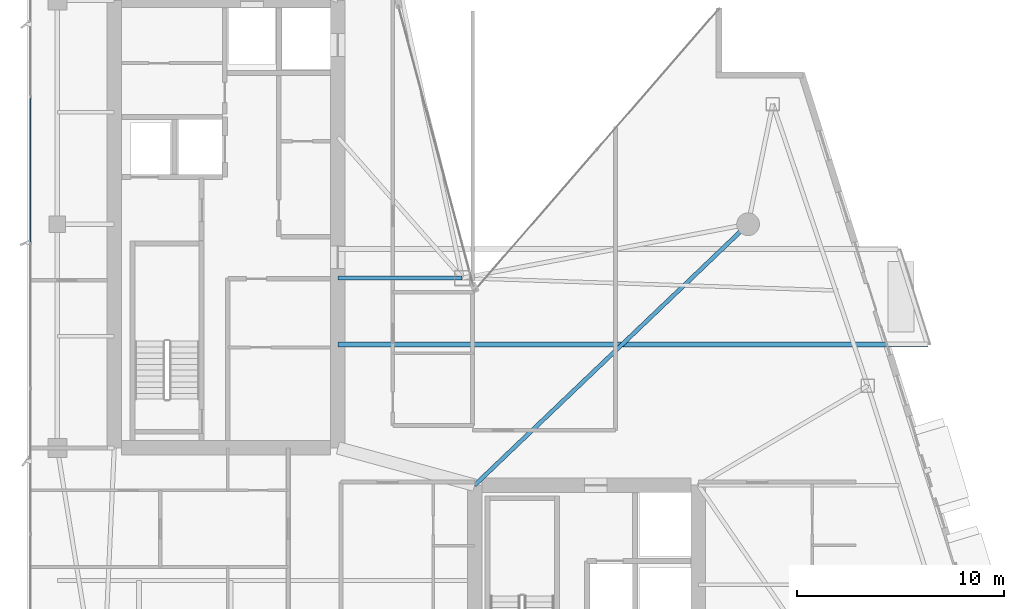
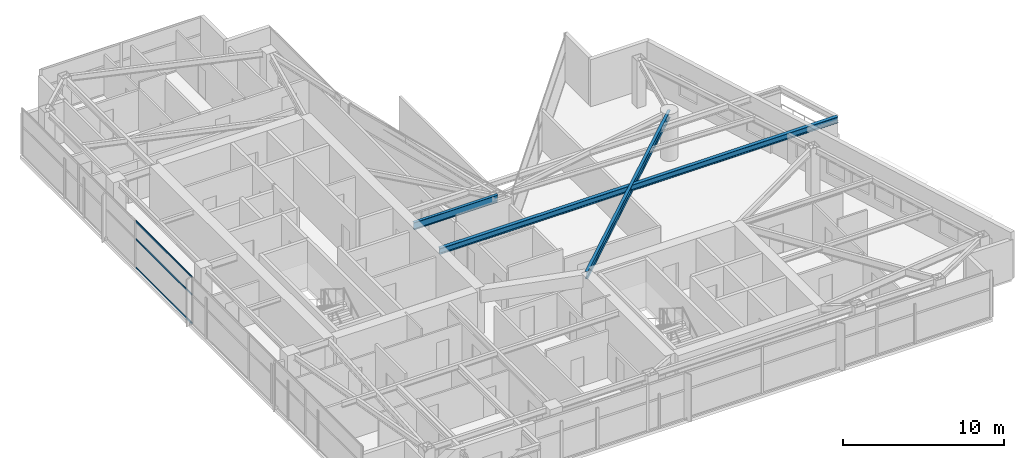
# One storey, part 10 of 29: 3 beams, 3 members, 1 element without a shape of its own.
"""IFC4 building model written with IfcOpenShell, lengths in metres."""

from ifc_helpers import new_model, si_unit, direction, frame, origin, origin_2d, place, context, subcontext, project, spatial, hollow_rectangle, i_section, extrude, material, layer, layer_set, material_profile, profile_set, type_object, element, aggregate, save


model = new_model("IFC4")

# Units and contexts
model_context = context("Model", 3, precision=1e-05, world=origin(), true_north=direction((0.0, 1.0)))
body_context = subcontext(model_context, "Body", "Model", "MODEL_VIEW")
ifc_project = project(units=[si_unit("LENGTHUNIT", "METRE"), si_unit("AREAUNIT", "SQUARE_METRE"), si_unit("VOLUMEUNIT", "CUBIC_METRE"), si_unit("PLANEANGLEUNIT", "RADIAN"), si_unit("MASSUNIT", "GRAM", prefix="KILO")], contexts=[model_context])

# Site, building, storey
site_placement = place(None, origin())
site = spatial("IfcSite", under=ifc_project, at=site_placement, CompositionType="ELEMENT")
building_placement = place(site_placement, origin())
building = spatial("IfcBuilding", under=site, at=building_placement, Name="Calvorn Quay Hotel", CompositionType="ELEMENT")
storey_placement = place(building_placement, frame((0.0, 0.0, 255.199951171875)))
storey = spatial("IfcBuildingStorey", under=building, at=storey_placement, Name="L63", CompositionType="ELEMENT", Elevation=255.199951171875)

# Beams
ifc_material_1 = material(Name="Steel Q355B", Category="steel")
ifc_material_profile_1 = material_profile(ifc_material_1, i_section(OverallWidth=0.25, OverallDepth=0.449951171875, WebThickness=0.011962890625, FlangeThickness=0.01611328125, FilletRadius=0.01611328125, at=origin_2d()), Name="HN450x250x12x16")
ifc_profile_set_1 = profile_set([ifc_material_profile_1], Name="Steel Q355B")
beam_type_1 = type_object("IfcBeamType", Name="BM-CANT-BALC", PredefinedType="BEAM", material=ifc_profile_set_1)
beam_1_placement = place(storey_placement, frame((15.0, 21.800048828125, 3.31494140625), z_axis=(1.0, 0.0, 0.0), x_axis=(0.0, 1.0, 0.0)))
element("IfcBeam", 1, at=beam_1_placement, inside=storey, type_object=beam_type_1, Name="Cantilever Balcony Beam BCB-L64-1A", PredefinedType="BEAM", context=body_context, shape_type="SweptSolid", body=[
    extrude(i_section(OverallWidth=0.25, OverallDepth=0.449951171875, WebThickness=0.011962890625, FlangeThickness=0.01611328125, FilletRadius=0.01611328125, at=origin_2d()), origin(), (0.0, 0.0, 1.0), 28.486083984375),
])
ifc_material_2 = material(Name="Steel Q355B", Category="steel")
ifc_material_profile_2 = material_profile(ifc_material_2, i_section(OverallWidth=0.199951171875, OverallDepth=0.550048828125, WebThickness=0.010009765625, FlangeThickness=0.01611328125, FilletRadius=0.01806640625, at=origin_2d()), Name="HN550x200x10x16")
ifc_profile_set_2 = profile_set([ifc_material_profile_2], Name="Steel Q355B")
beam_type_2 = type_object("IfcBeamType", Name="BM-GIRD-UPP", PredefinedType="BEAM", material=ifc_profile_set_2)
beam_2_placement = place(storey_placement, frame((21.0, 25.0, 3.26513671875), z_axis=(-1.0, 0.0, 0.0), x_axis=(0.0, -1.0, 0.0)))
element("IfcBeam", 2, at=beam_2_placement, inside=storey, type_object=beam_type_2, Name="Beam BG-L63-W7", PredefinedType="BEAM", context=body_context, shape_type="SweptSolid", body=[
    extrude(i_section(OverallWidth=0.199951171875, OverallDepth=0.550048828125, WebThickness=0.010009765625, FlangeThickness=0.01611328125, FilletRadius=0.01806640625, at=origin_2d()), origin(), (0.0, 0.0, 1.0), 6.0),
])
beam_3_placement = place(storey_placement, frame((21.60009765625, 15.0, 3.26513671875), z_axis=(0.723351595578, 0.690479883252, 0.0), x_axis=(-0.690479883252, 0.723351595578, 0.0)))
element("IfcBeam", 3, at=beam_3_placement, inside=storey, type_object=beam_type_2, Name="Beam BG-L63-E4", PredefinedType="BEAM", context=body_context, shape_type="SweptSolid", body=[
    extrude(i_section(OverallWidth=0.199951171875, OverallDepth=0.550048828125, WebThickness=0.010009765625, FlangeThickness=0.01611328125, FilletRadius=0.01806640625, at=origin_2d()), origin(), (0.0, 0.0, 1.0), 18.248291015625),
])

# Curtain wall, members
ifc_material_3 = material(Name="Champagne Bronze Anodised Aluminium and Low-E Glass", Category="aluminium")
ifc_layer = layer(ifc_material_3, 0.219970703125)
ifc_layer_set = layer_set([ifc_layer], Name="CW-SYS-Z4")
curtain_wall_type = type_object("IfcCurtainWallType", Name="CW-SYS-Z4", PredefinedType="NOTDEFINED", material=ifc_layer_set)
curtain_wall_placement = place(storey_placement, origin())
curtain_wall = element("IfcCurtainWall", 4, at=curtain_wall_placement, inside=storey, type_object=curtain_wall_type, Name="Tower West Curtain Wall (L63)", PredefinedType="NOTDEFINED")
ifc_material_4 = material(Name="Champagne Bronze Anodised Aluminium 6063-T6", Category="aluminium")
ifc_material_profile_3 = material_profile(ifc_material_4, hollow_rectangle(XDim=0.054931640625, YDim=0.1298828125, WallThickness=0.003173828125, at=origin_2d()), Name="ALU-T130x55x3.2")
ifc_profile_set_3 = profile_set([ifc_material_profile_3], Name="Champagne Bronze Anodised Aluminium 6063-T6")
member_type = type_object("IfcMemberType", Name="CW-SYS-Z4-TRN", PredefinedType="USERDEFINED", material=ifc_profile_set_3)
member_1_placement = place(storey_placement, frame((0.14990234375, 26.72998046875, 0.030029296875), z_axis=(0.0, 1.0, 0.0), x_axis=(-1.0, 0.0, 0.0)))
member_1 = element("IfcMember", 5, at=member_1_placement, type_object=member_type, Name="CW-L63-W transom 4.1", ObjectType="TRANSOM", PredefinedType="USERDEFINED", context=body_context, shape_type="SweptSolid", body=[
    extrude(hollow_rectangle(XDim=0.054931640625, YDim=0.1298828125, WallThickness=0.003173828125, at=origin_2d()), origin(), (0.0, 0.0, 1.0), 6.973388671875),
])
member_2_placement = place(storey_placement, frame((0.14990234375, 26.72998046875, 2.199951171875), z_axis=(0.0, 1.0, 0.0), x_axis=(-1.0, 0.0, 0.0)))
member_2 = element("IfcMember", 6, at=member_2_placement, type_object=member_type, Name="CW-L63-W transom 4.2", ObjectType="TRANSOM", PredefinedType="USERDEFINED", context=body_context, shape_type="SweptSolid", body=[
    extrude(hollow_rectangle(XDim=0.054931640625, YDim=0.1298828125, WallThickness=0.003173828125, at=origin_2d()), origin(), (0.0, 0.0, 1.0), 6.973388671875),
])
member_3_placement = place(storey_placement, frame((0.14990234375, 26.72998046875, 3.530029296875), z_axis=(0.0, 1.0, 0.0), x_axis=(-1.0, 0.0, 0.0)))
member_3 = element("IfcMember", 7, at=member_3_placement, type_object=member_type, Name="CW-L63-W transom 4.3", ObjectType="TRANSOM", PredefinedType="USERDEFINED", context=body_context, shape_type="SweptSolid", body=[
    extrude(hollow_rectangle(XDim=0.054931640625, YDim=0.1298828125, WallThickness=0.003173828125, at=origin_2d()), origin(), (0.0, 0.0, 1.0), 6.973388671875),
])
aggregate(curtain_wall, [member_1, member_2, member_3])

save(model, "model.ifc")
